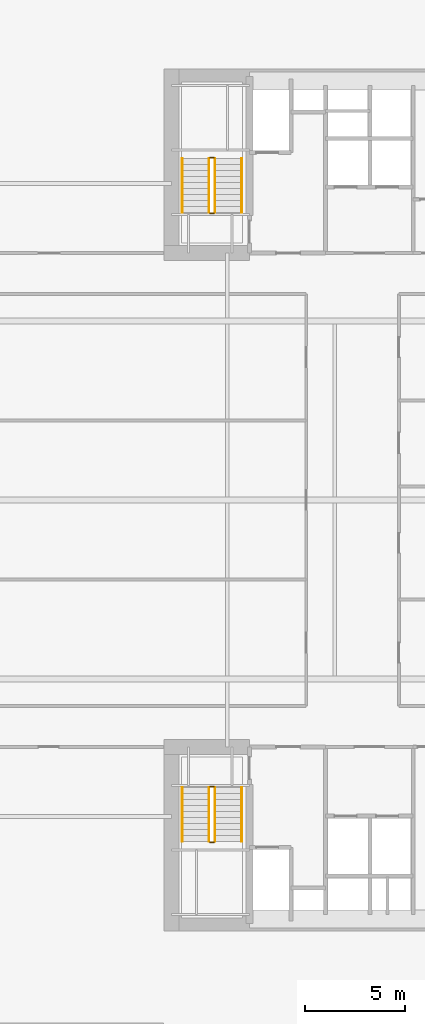
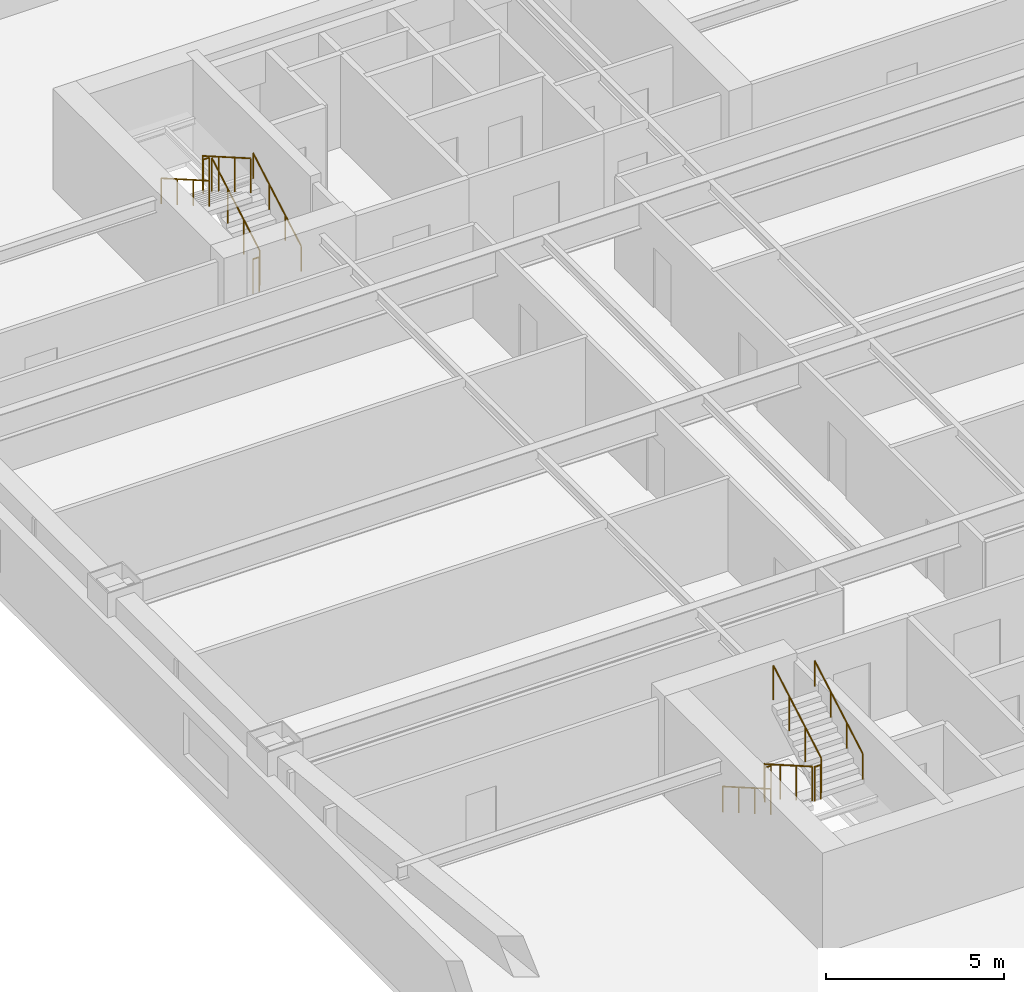
# One storey, part 10 of 11: 12 railings.
"""IFC4 building model written with IfcOpenShell, lengths in metres."""

from ifc_helpers import new_model, si_unit, direction, frame, origin, origin_2d, place, context, subcontext, project, spatial, circle, extrude, material, type_object, element, save


model = new_model("IFC4")

# Units and contexts
model_context = context("Model", 3, precision=1e-05, world=origin(), true_north=direction((0.0, 1.0)))
body_context = subcontext(model_context, "Body", "Model", "MODEL_VIEW")
ifc_project = project(units=[si_unit("LENGTHUNIT", "METRE"), si_unit("AREAUNIT", "SQUARE_METRE"), si_unit("VOLUMEUNIT", "CUBIC_METRE"), si_unit("PLANEANGLEUNIT", "RADIAN"), si_unit("MASSUNIT", "GRAM", prefix="KILO")], contexts=[model_context])

# Site, building, storey
site_placement = place(None, origin())
site = spatial("IfcSite", under=ifc_project, at=site_placement, CompositionType="ELEMENT")
building_placement = place(site_placement, origin())
building = spatial("IfcBuilding", under=site, at=building_placement, Name="Qiaolan Cultural Towers", CompositionType="ELEMENT")
storey_placement = place(building_placement, frame((0.0, 0.0, 64.39990234375)))
storey = spatial("IfcBuildingStorey", under=building, at=storey_placement, Name="L15", CompositionType="ELEMENT", Elevation=64.39990234375)

# Railings
ifc_material_1 = material(Name="Galvanized Painted Steel Stair Guardrail", Category="steel")
railing_type_1 = type_object("IfcRailingType", Name="RL-STAIR-GRD", PredefinedType="GUARDRAIL", material=ifc_material_1)
railing_1_placement = place(storey_placement, frame((23.68994140625, 19.550048828125, 0.172607421875)))
element("IfcRailing", 1, at=railing_1_placement, inside=storey, type_object=railing_type_1, Name="L15 ST-W1 stair guard 1", PredefinedType="GUARDRAIL", context=body_context, shape_type="SweptSolid", body=[
    extrude(circle(Radius=0.02392578125, at=origin_2d()), frame((0.0, 0.0, 1.17578125), z_axis=(0.0, -0.866903762492, 0.498475542607), x_axis=(1.0, 0.0, 0.0)), (0.0, 0.0, 1.0), 3.114501953125),
    extrude(circle(Radius=0.02099609375, at=origin_2d()), origin(), (0.0, 0.0, 1.0), 1.15185546875),
    extrude(circle(Radius=0.02099609375, at=origin_2d()), frame((0.0, -0.89990234375, 0.517578125)), (0.0, 0.0, 1.0), 1.15185546875),
    extrude(circle(Radius=0.02099609375, at=origin_2d()), frame((0.0, -1.800048828125, 1.034912109375)), (0.0, 0.0, 1.0), 1.15185546875),
    extrude(circle(Radius=0.02099609375, at=origin_2d()), frame((0.0, -2.699951171875, 1.552490234375)), (0.0, 0.0, 1.0), 1.15185546875),
])
railing_2_placement = place(storey_placement, frame((23.739990234375, 16.800048828125, 1.72509765625)))
element("IfcRailing", 2, at=railing_2_placement, inside=storey, type_object=railing_type_1, Name="L15 ST-W1 stair guard 2", PredefinedType="GUARDRAIL", context=body_context, shape_type="SweptSolid", body=[
    extrude(circle(Radius=0.02392578125, at=origin_2d()), frame((0.0, 0.0, 1.17578125), z_axis=(1.0, 0.0, 0.0), x_axis=(0.0, 1.0, 0.0)), (0.0, 0.0, 1.0), 0.199951171875),
    extrude(circle(Radius=0.02099609375, at=origin_2d()), origin(), (0.0, 0.0, 1.0), 1.15185546875),
    extrude(circle(Radius=0.02099609375, at=origin_2d()), frame((0.199951171875, 0.0, 0.0)), (0.0, 0.0, 1.0), 1.15185546875),
])
railing_3_placement = place(storey_placement, frame((23.989990234375, 16.85009765625, 1.897705078125)))
element("IfcRailing", 3, at=railing_3_placement, inside=storey, type_object=railing_type_1, Name="L15 ST-W1 stair guard 3", PredefinedType="GUARDRAIL", context=body_context, shape_type="SweptSolid", body=[
    extrude(circle(Radius=0.02392578125, at=origin_2d()), frame((0.0, 0.0, 1.17578125), z_axis=(0.0, 0.866903762492, 0.498475542607), x_axis=(-1.0, 0.0, 0.0)), (0.0, 0.0, 1.0), 3.114501953125),
    extrude(circle(Radius=0.02099609375, at=origin_2d()), origin(), (0.0, 0.0, 1.0), 1.15185546875),
    extrude(circle(Radius=0.02099609375, at=origin_2d()), frame((0.0, 0.89990234375, 0.517578125)), (0.0, 0.0, 1.0), 1.15185546875),
    extrude(circle(Radius=0.02099609375, at=origin_2d()), frame((0.0, 1.800048828125, 1.034912109375)), (0.0, 0.0, 1.0), 1.15185546875),
    extrude(circle(Radius=0.02099609375, at=origin_2d()), frame((0.0, 2.699951171875, 1.552490234375)), (0.0, 0.0, 1.0), 1.15185546875),
])
railing_4_placement = place(storey_placement, frame((23.739990234375, 19.60009765625, 0.0)))
element("IfcRailing", 4, at=railing_4_placement, inside=storey, type_object=railing_type_1, Name="L15 ST-W1 stair guard 4", PredefinedType="GUARDRAIL", context=body_context, shape_type="SweptSolid", body=[
    extrude(circle(Radius=0.02392578125, at=origin_2d()), frame((0.0, 0.0, 1.17578125), z_axis=(1.0, 0.0, 0.0), x_axis=(0.0, 1.0, 0.0)), (0.0, 0.0, 1.0), 0.199951171875),
    extrude(circle(Radius=0.02099609375, at=origin_2d()), origin(), (0.0, 0.0, 1.0), 1.15185546875),
    extrude(circle(Radius=0.02099609375, at=origin_2d()), frame((0.199951171875, 0.0, 0.0)), (0.0, 0.0, 1.0), 1.15185546875),
])
railing_5_placement = place(storey_placement, frame((23.989990234375, 48.449951171875, 0.172607421875)))
element("IfcRailing", 5, at=railing_5_placement, inside=storey, type_object=railing_type_1, Name="L15 ST-W2 stair guard 1", PredefinedType="GUARDRAIL", context=body_context, shape_type="SweptSolid", body=[
    extrude(circle(Radius=0.02392578125, at=origin_2d()), frame((0.0, 0.0, 1.17578125), z_axis=(0.0, 0.866903762492, 0.498475542607), x_axis=(-1.0, 0.0, 0.0)), (0.0, 0.0, 1.0), 3.114501953125),
    extrude(circle(Radius=0.02099609375, at=origin_2d()), origin(), (0.0, 0.0, 1.0), 1.15185546875),
    extrude(circle(Radius=0.02099609375, at=origin_2d()), frame((0.0, 0.89990234375, 0.517578125)), (0.0, 0.0, 1.0), 1.15185546875),
    extrude(circle(Radius=0.02099609375, at=origin_2d()), frame((0.0, 1.800048828125, 1.034912109375)), (0.0, 0.0, 1.0), 1.15185546875),
    extrude(circle(Radius=0.02099609375, at=origin_2d()), frame((0.0, 2.699951171875, 1.552490234375)), (0.0, 0.0, 1.0), 1.15185546875),
])
railing_6_placement = place(storey_placement, frame((23.93994140625, 51.199951171875, 1.72509765625)))
element("IfcRailing", 6, at=railing_6_placement, inside=storey, type_object=railing_type_1, Name="L15 ST-W2 stair guard 2", PredefinedType="GUARDRAIL", context=body_context, shape_type="SweptSolid", body=[
    extrude(circle(Radius=0.02392578125, at=origin_2d()), frame((0.0, 0.0, 1.17578125), z_axis=(-1.0, 0.0, 0.0), x_axis=(0.0, -1.0, 0.0)), (0.0, 0.0, 1.0), 0.199951171875),
    extrude(circle(Radius=0.02099609375, at=origin_2d()), origin(), (0.0, 0.0, 1.0), 1.15185546875),
    extrude(circle(Radius=0.02099609375, at=origin_2d()), frame((-0.199951171875, 0.0, 0.0)), (0.0, 0.0, 1.0), 1.15185546875),
])
railing_7_placement = place(storey_placement, frame((23.68994140625, 51.14990234375, 1.897705078125)))
element("IfcRailing", 7, at=railing_7_placement, inside=storey, type_object=railing_type_1, Name="L15 ST-W2 stair guard 3", PredefinedType="GUARDRAIL", context=body_context, shape_type="SweptSolid", body=[
    extrude(circle(Radius=0.02392578125, at=origin_2d()), frame((0.0, 0.0, 1.17578125), z_axis=(0.0, -0.866903762492, 0.498475542607), x_axis=(1.0, 0.0, 0.0)), (0.0, 0.0, 1.0), 3.114501953125),
    extrude(circle(Radius=0.02099609375, at=origin_2d()), origin(), (0.0, 0.0, 1.0), 1.15185546875),
    extrude(circle(Radius=0.02099609375, at=origin_2d()), frame((0.0, -0.89990234375, 0.517578125)), (0.0, 0.0, 1.0), 1.15185546875),
    extrude(circle(Radius=0.02099609375, at=origin_2d()), frame((0.0, -1.800048828125, 1.034912109375)), (0.0, 0.0, 1.0), 1.15185546875),
    extrude(circle(Radius=0.02099609375, at=origin_2d()), frame((0.0, -2.699951171875, 1.552490234375)), (0.0, 0.0, 1.0), 1.15185546875),
])
railing_8_placement = place(storey_placement, frame((23.93994140625, 48.39990234375, 0.0)))
element("IfcRailing", 8, at=railing_8_placement, inside=storey, type_object=railing_type_1, Name="L15 ST-W2 stair guard 4", PredefinedType="GUARDRAIL", context=body_context, shape_type="SweptSolid", body=[
    extrude(circle(Radius=0.02392578125, at=origin_2d()), frame((0.0, 0.0, 1.17578125), z_axis=(-1.0, 0.0, 0.0), x_axis=(0.0, -1.0, 0.0)), (0.0, 0.0, 1.0), 0.199951171875),
    extrude(circle(Radius=0.02099609375, at=origin_2d()), origin(), (0.0, 0.0, 1.0), 1.15185546875),
    extrude(circle(Radius=0.02099609375, at=origin_2d()), frame((-0.199951171875, 0.0, 0.0)), (0.0, 0.0, 1.0), 1.15185546875),
])
ifc_material_2 = material(Name="Stainless Steel S30408 Tubular Handrail", Category="steel")
railing_type_2 = type_object("IfcRailingType", Name="RL-STAIR-HR", PredefinedType="HANDRAIL", material=ifc_material_2)
railing_9_placement = place(storey_placement, frame((22.35009765625, 19.550048828125, 0.172607421875)))
element("IfcRailing", 9, at=railing_9_placement, inside=storey, type_object=railing_type_2, Name="L15 ST-W1 stair handrail 1", PredefinedType="HANDRAIL", context=body_context, shape_type="SweptSolid", body=[
    extrude(circle(Radius=0.02392578125, at=origin_2d()), frame((0.0, 0.0, 0.8759765625), z_axis=(0.0, -0.866903762492, 0.498475542607), x_axis=(1.0, 0.0, 0.0)), (0.0, 0.0, 1.0), 3.114501953125),
    extrude(circle(Radius=0.02099609375, at=origin_2d()), origin(), (0.0, 0.0, 1.0), 0.851806640625),
    extrude(circle(Radius=0.02099609375, at=origin_2d()), frame((0.0, -0.89990234375, 0.517578125)), (0.0, 0.0, 1.0), 0.851806640625),
    extrude(circle(Radius=0.02099609375, at=origin_2d()), frame((0.0, -1.800048828125, 1.034912109375)), (0.0, 0.0, 1.0), 0.851806640625),
    extrude(circle(Radius=0.02099609375, at=origin_2d()), frame((0.0, -2.699951171875, 1.552490234375)), (0.0, 0.0, 1.0), 0.851806640625),
])
for number, where, name in (
    (10, (25.330078125, 16.85009765625, 1.897705078125), "L15 ST-W1 stair handrail 2"),
    (11, (25.330078125, 48.449951171875, 0.172607421875), "L15 ST-W2 stair handrail 1"),
):
    element("IfcRailing", number, at=place(storey_placement, frame(where)), inside=storey, type_object=railing_type_2, Name=name, PredefinedType="HANDRAIL", context=body_context, shape_type="SweptSolid", body=[
        extrude(circle(Radius=0.02392578125, at=origin_2d()), frame((0.0, 0.0, 0.8759765625), z_axis=(0.0, 0.866903762492, 0.498475542607), x_axis=(-1.0, 0.0, 0.0)), (0.0, 0.0, 1.0), 3.114501953125),
        extrude(circle(Radius=0.02099609375, at=origin_2d()), origin(), (0.0, 0.0, 1.0), 0.851806640625),
        extrude(circle(Radius=0.02099609375, at=origin_2d()), frame((0.0, 0.89990234375, 0.517578125)), (0.0, 0.0, 1.0), 0.851806640625),
        extrude(circle(Radius=0.02099609375, at=origin_2d()), frame((0.0, 1.800048828125, 1.034912109375)), (0.0, 0.0, 1.0), 0.851806640625),
        extrude(circle(Radius=0.02099609375, at=origin_2d()), frame((0.0, 2.699951171875, 1.552490234375)), (0.0, 0.0, 1.0), 0.851806640625),
    ])
railing_10_placement = place(storey_placement, frame((22.35009765625, 51.14990234375, 1.897705078125)))
element("IfcRailing", 12, at=railing_10_placement, inside=storey, type_object=railing_type_2, Name="L15 ST-W2 stair handrail 2", PredefinedType="HANDRAIL", context=body_context, shape_type="SweptSolid", body=[
    extrude(circle(Radius=0.02392578125, at=origin_2d()), frame((0.0, 0.0, 0.8759765625), z_axis=(0.0, -0.866903762492, 0.498475542607), x_axis=(1.0, 0.0, 0.0)), (0.0, 0.0, 1.0), 3.114501953125),
    extrude(circle(Radius=0.02099609375, at=origin_2d()), origin(), (0.0, 0.0, 1.0), 0.851806640625),
    extrude(circle(Radius=0.02099609375, at=origin_2d()), frame((0.0, -0.89990234375, 0.517578125)), (0.0, 0.0, 1.0), 0.851806640625),
    extrude(circle(Radius=0.02099609375, at=origin_2d()), frame((0.0, -1.800048828125, 1.034912109375)), (0.0, 0.0, 1.0), 0.851806640625),
    extrude(circle(Radius=0.02099609375, at=origin_2d()), frame((0.0, -2.699951171875, 1.552490234375)), (0.0, 0.0, 1.0), 0.851806640625),
])

save(model, "model.ifc")
